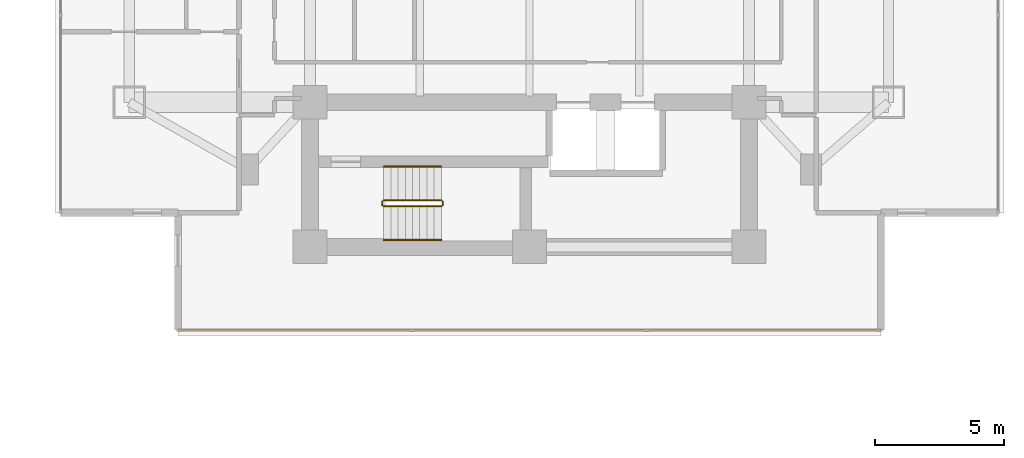
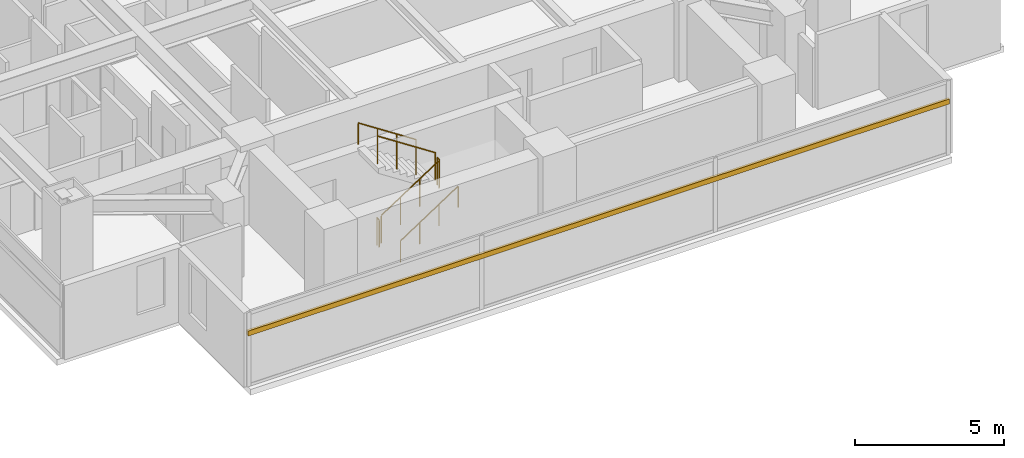
# One storey, part 22 of 24: 6 railings, 1 shading device.
"""IFC4 building model written with IfcOpenShell, lengths in metres."""

from ifc_helpers import new_model, si_unit, direction, frame, origin, origin_2d, place, context, subcontext, project, spatial, rectangle, circle, extrude, material, material_profile, profile_set, type_object, element, save


model = new_model("IFC4")

# Units and contexts
model_context = context("Model", 3, precision=1e-05, world=origin(), true_north=direction((0.0, 1.0)))
body_context = subcontext(model_context, "Body", "Model", "MODEL_VIEW")
ifc_project = project(units=[si_unit("LENGTHUNIT", "METRE"), si_unit("AREAUNIT", "SQUARE_METRE"), si_unit("VOLUMEUNIT", "CUBIC_METRE"), si_unit("PLANEANGLEUNIT", "RADIAN"), si_unit("MASSUNIT", "GRAM", prefix="KILO")], contexts=[model_context])

# Site, building, storey
site_placement = place(None, origin())
site = spatial("IfcSite", under=ifc_project, at=site_placement, CompositionType="ELEMENT")
building_placement = place(site_placement, origin())
building = spatial("IfcBuilding", under=site, at=building_placement, Name="Mirazonda Arch Towers", CompositionType="ELEMENT")
storey_placement = place(building_placement, frame((0.0, 0.0, 62.0)))
storey = spatial("IfcBuildingStorey", under=building, at=storey_placement, Name="L17", CompositionType="ELEMENT", Elevation=62.0)

# Shading device
ifc_material_1 = material(Name="Kiln-Fired Architectural Terracotta", Category="masonry")
ifc_material_profile = material_profile(ifc_material_1, rectangle(XDim=0.10009765625, YDim=0.199951171875, at=origin_2d()), Name="TERRA-BAG-100x200")
ifc_profile_set = profile_set([ifc_material_profile], Name="Kiln-Fired Architectural Terracotta")
shading_device_type = type_object("IfcShadingDeviceType", Name="BAGUETTE-2", PredefinedType="USERDEFINED", material=ifc_profile_set)
shading_device_placement = place(storey_placement, frame((90.10791015625, 11.97412109375, 2.188720703125), z_axis=(-1.0, 0.0, 0.0), x_axis=(0.0, -1.0, 0.0)))
element("IfcShadingDevice", 1, at=shading_device_placement, inside=storey, type_object=shading_device_type, Name="L17 Glazed Terracotta Sun-Screen Baguette CW-L17-T2-S", ObjectType="BAGUETTE", PredefinedType="USERDEFINED", context=body_context, shape_type="SweptSolid", body=[
    extrude(rectangle(XDim=0.10009765625, YDim=0.199951171875, at=origin_2d()), origin(), (0.0, 0.0, 1.0), 27.2158203125),
])

# Railings
ifc_material_2 = material(Name="Architectural Brushed Steel S355", Category="steel")
railing_type_1 = type_object("IfcRailingType", Name="GUARD-STAIR-1120", PredefinedType="GUARDRAIL", material=ifc_material_2)
railing_1_placement = place(storey_placement, frame((70.85009765625, 16.77001953125, 0.183349609375)))
element("IfcRailing", 2, at=railing_1_placement, inside=storey, type_object=railing_type_1, Name="L17 ST-T2S stair guard 1", PredefinedType="GUARDRAIL", context=body_context, shape_type="SweptSolid", body=[
    extrude(circle(Radius=0.02392578125, at=origin_2d()), frame((0.0, 0.0, 1.1259765625), z_axis=(0.836636935527, 0.0, 0.547757827979), x_axis=(0.0, 1.0, 0.0)), (0.0, 0.0, 1.0), 2.677490234375),
    extrude(circle(Radius=0.02099609375, at=origin_2d()), origin(), (0.0, 0.0, 1.0), 1.101806640625),
    extrude(circle(Radius=0.02099609375, at=origin_2d()), frame((0.74658203125, 0.0, 0.48876953125)), (0.0, 0.0, 1.0), 1.101806640625),
    extrude(circle(Radius=0.02099609375, at=origin_2d()), frame((1.493408203125, 0.0, 0.977783203125)), (0.0, 0.0, 1.0), 1.101806640625),
    extrude(circle(Radius=0.02099609375, at=origin_2d()), frame((2.239990234375, 0.0, 1.466552734375)), (0.0, 0.0, 1.0), 1.101806640625),
])
railing_2_placement = place(storey_placement, frame((73.139892578125, 16.820068359375, 1.64990234375)))
element("IfcRailing", 3, at=railing_2_placement, inside=storey, type_object=railing_type_1, Name="L17 ST-T2S stair guard 2", PredefinedType="GUARDRAIL", context=body_context, shape_type="SweptSolid", body=[
    extrude(circle(Radius=0.02392578125, at=origin_2d()), frame((0.0, 0.0, 1.1259765625), z_axis=(0.0, 1.0, 0.0), x_axis=(-1.0, 0.0, 0.0)), (0.0, 0.0, 1.0), 0.139892578125),
    extrude(circle(Radius=0.02099609375, at=origin_2d()), origin(), (0.0, 0.0, 1.0), 1.101806640625),
    extrude(circle(Radius=0.02099609375, at=origin_2d()), frame((0.0, 0.139892578125, 0.0)), (0.0, 0.0, 1.0), 1.101806640625),
])
railing_3_placement = place(storey_placement, frame((73.090087890625, 17.010009765625, 1.833251953125)))
element("IfcRailing", 4, at=railing_3_placement, inside=storey, type_object=railing_type_1, Name="L17 ST-T2S stair guard 3", PredefinedType="GUARDRAIL", context=body_context, shape_type="SweptSolid", body=[
    extrude(circle(Radius=0.02392578125, at=origin_2d()), frame((0.0, 0.0, 1.1259765625), z_axis=(-0.836595146698, 0.0, 0.547821650285), x_axis=(0.0, -1.0, 0.0)), (0.0, 0.0, 1.0), 2.677490234375),
    extrude(circle(Radius=0.02099609375, at=origin_2d()), origin(), (0.0, 0.0, 1.0), 1.101806640625),
    extrude(circle(Radius=0.02099609375, at=origin_2d()), frame((-0.74658203125, 0.0, 0.489013671875)), (0.0, 0.0, 1.0), 1.101806640625),
    extrude(circle(Radius=0.02099609375, at=origin_2d()), frame((-1.493408203125, 0.0, 0.977783203125)), (0.0, 0.0, 1.0), 1.101806640625),
    extrude(circle(Radius=0.02099609375, at=origin_2d()), frame((-2.239990234375, 0.0, 1.466796875)), (0.0, 0.0, 1.0), 1.101806640625),
])
railing_4_placement = place(storey_placement, frame((70.800048828125, 16.820068359375, 0.0)))
element("IfcRailing", 5, at=railing_4_placement, inside=storey, type_object=railing_type_1, Name="L17 ST-T2S stair guard 4", PredefinedType="GUARDRAIL", context=body_context, shape_type="SweptSolid", body=[
    extrude(circle(Radius=0.02392578125, at=origin_2d()), frame((0.0, 0.0, 1.1259765625), z_axis=(0.0, 1.0, 0.0), x_axis=(-1.0, 0.0, 0.0)), (0.0, 0.0, 1.0), 0.139892578125),
    extrude(circle(Radius=0.02099609375, at=origin_2d()), origin(), (0.0, 0.0, 1.0), 1.101806640625),
    extrude(circle(Radius=0.02099609375, at=origin_2d()), frame((0.0, 0.139892578125, 0.0)), (0.0, 0.0, 1.0), 1.101806640625),
])
railing_type_2 = type_object("IfcRailingType", Name="HANDRAIL-915", PredefinedType="HANDRAIL", material=ifc_material_2)
railing_5_placement = place(storey_placement, frame((70.85009765625, 15.469970703125, 0.183349609375)))
element("IfcRailing", 6, at=railing_5_placement, inside=storey, type_object=railing_type_2, Name="L17 ST-T2S stair handrail 1", PredefinedType="HANDRAIL", context=body_context, shape_type="SweptSolid", body=[
    extrude(circle(Radius=0.02392578125, at=origin_2d()), frame((0.0, 0.0, 0.8759765625), z_axis=(0.836636935527, 0.0, 0.547757827979), x_axis=(0.0, 1.0, 0.0)), (0.0, 0.0, 1.0), 2.677490234375),
    extrude(circle(Radius=0.02099609375, at=origin_2d()), origin(), (0.0, 0.0, 1.0), 0.851806640625),
    extrude(circle(Radius=0.02099609375, at=origin_2d()), frame((0.74658203125, 0.0, 0.48876953125)), (0.0, 0.0, 1.0), 0.851806640625),
    extrude(circle(Radius=0.02099609375, at=origin_2d()), frame((1.493408203125, 0.0, 0.977783203125)), (0.0, 0.0, 1.0), 0.851806640625),
    extrude(circle(Radius=0.02099609375, at=origin_2d()), frame((2.239990234375, 0.0, 1.466552734375)), (0.0, 0.0, 1.0), 0.851806640625),
])
railing_6_placement = place(storey_placement, frame((73.090087890625, 18.31005859375, 1.833251953125)))
element("IfcRailing", 7, at=railing_6_placement, inside=storey, type_object=railing_type_2, Name="L17 ST-T2S stair handrail 2", PredefinedType="HANDRAIL", context=body_context, shape_type="SweptSolid", body=[
    extrude(circle(Radius=0.02392578125, at=origin_2d()), frame((0.0, 0.0, 0.8759765625), z_axis=(-0.836595146698, 0.0, 0.547821650285), x_axis=(0.0, -1.0, 0.0)), (0.0, 0.0, 1.0), 2.677490234375),
    extrude(circle(Radius=0.02099609375, at=origin_2d()), origin(), (0.0, 0.0, 1.0), 0.851806640625),
    extrude(circle(Radius=0.02099609375, at=origin_2d()), frame((-0.74658203125, 0.0, 0.489013671875)), (0.0, 0.0, 1.0), 0.851806640625),
    extrude(circle(Radius=0.02099609375, at=origin_2d()), frame((-1.493408203125, 0.0, 0.977783203125)), (0.0, 0.0, 1.0), 0.851806640625),
    extrude(circle(Radius=0.02099609375, at=origin_2d()), frame((-2.239990234375, 0.0, 1.466796875)), (0.0, 0.0, 1.0), 0.851806640625),
])

save(model, "model.ifc")
